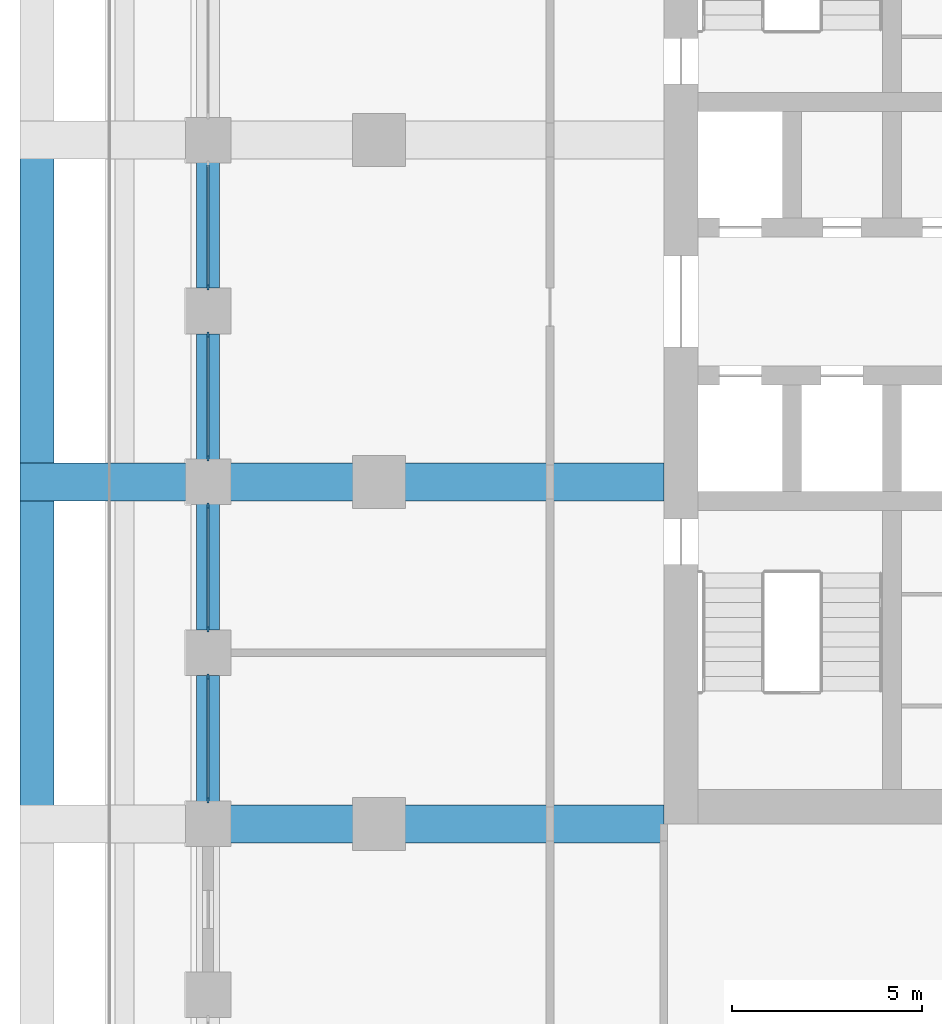
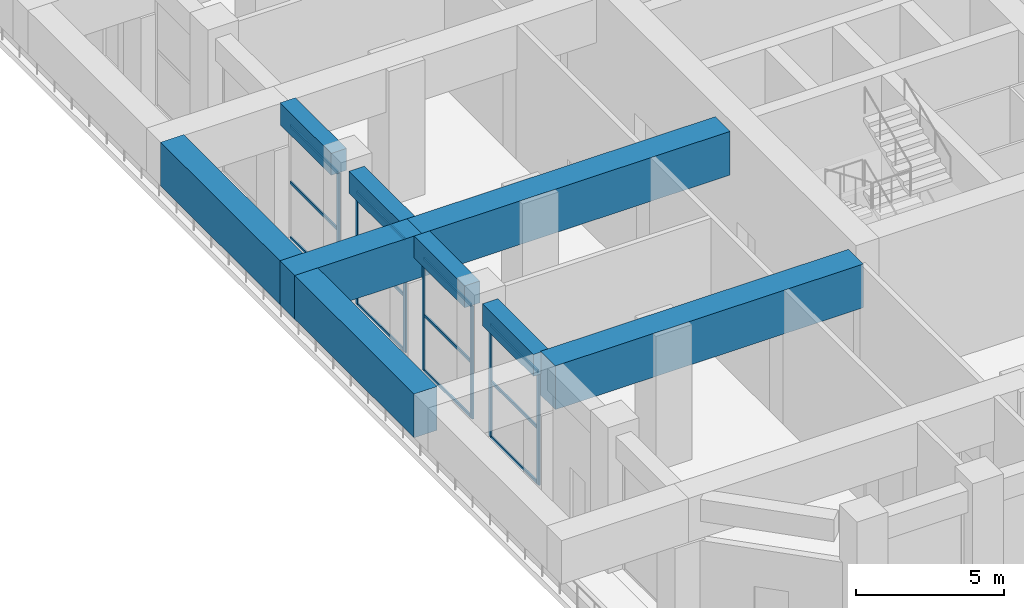
# One storey, part 3 of 24: 19 members, 9 beams, 4 elements without a shape of their own.
"""IFC4 building model written with IfcOpenShell, lengths in metres."""

from ifc_helpers import new_model, si_unit, direction, frame, origin, origin_2d, place, context, subcontext, project, spatial, rectangle, extrude, material, material_profile, profile_set, type_object, element, aggregate, save


model = new_model("IFC4")

# Units and contexts
model_context = context("Model", 3, precision=1e-05, world=origin(), true_north=direction((0.0, 1.0)))
body_context = subcontext(model_context, "Body", "Model", "MODEL_VIEW")
ifc_project = project(units=[si_unit("LENGTHUNIT", "METRE"), si_unit("AREAUNIT", "SQUARE_METRE"), si_unit("VOLUMEUNIT", "CUBIC_METRE"), si_unit("PLANEANGLEUNIT", "RADIAN"), si_unit("MASSUNIT", "GRAM", prefix="KILO")], contexts=[model_context])

# Site, building, storey
site_placement = place(None, origin())
site = spatial("IfcSite", under=ifc_project, at=site_placement, CompositionType="ELEMENT")
building_placement = place(site_placement, origin())
building = spatial("IfcBuilding", under=site, at=building_placement, Name="Corbel Stack Research Tower", CompositionType="ELEMENT")
storey_placement = place(building_placement, frame((0.0, 0.0, 110.699951171875)))
storey = spatial("IfcBuildingStorey", under=building, at=storey_placement, Name="L25", CompositionType="ELEMENT", Elevation=110.699951171875)

# Curtain wall, member
ifc_material_1 = material(Name="Aluminium frame, clear glass", Category="aluminium")
curtain_wall_type = type_object("IfcCurtainWallType", Name="Amenity floor curtain wall CW2", PredefinedType="NOTDEFINED", material=ifc_material_1)
curtain_wall_1_placement = place(storey_placement, origin())
curtain_wall_1 = element("IfcCurtainWall", 1, at=curtain_wall_1_placement, inside=storey, type_object=curtain_wall_type, Name="Curtain wall CW2 L25 W05", PredefinedType="NOTDEFINED")
ifc_material_2 = material(Name="Aluminium mullion", Category="aluminium")
ifc_material_profile_1 = material_profile(ifc_material_2, rectangle(XDim=0.06005859375, YDim=0.159912109375, at=origin_2d()), Name="Mullion 60 x 160")
ifc_profile_set_1 = profile_set([ifc_material_profile_1], Name="Aluminium mullion")
member_type_1 = type_object("IfcMemberType", Name="Curtain wall mullion 60 x 160", PredefinedType="MULLION", material=ifc_profile_set_1)
member_1_placement = place(storey_placement, frame((-22.5, 5.1298828125, 0.0), z_axis=(0.0, 0.0, 1.0), x_axis=(1.0, 0.0, 0.0)))
member_1 = element("IfcMember", 2, at=member_1_placement, type_object=member_type_1, Name="CW2 L25 W05 mullion 2", PredefinedType="MULLION", context=body_context, shape_type="SweptSolid", body=[
    extrude(rectangle(XDim=0.06005859375, YDim=0.159912109375, at=origin_2d()), origin(), (0.0, 0.0, 1.0), 4.650146484375),
])

# Curtain wall, members
curtain_wall_2_placement = place(storey_placement, origin())
curtain_wall_2 = element("IfcCurtainWall", 3, at=curtain_wall_2_placement, inside=storey, type_object=curtain_wall_type, Name="Curtain wall CW2 L25 W06", PredefinedType="NOTDEFINED")
member_2_placement = place(storey_placement, frame((-22.5, 3.8701171875, 0.0), z_axis=(0.0, 0.0, 1.0), x_axis=(1.0, 0.0, 0.0)))
member_2 = element("IfcMember", 4, at=member_2_placement, type_object=member_type_1, Name="CW2 L25 W06 mullion 1", PredefinedType="MULLION", context=body_context, shape_type="SweptSolid", body=[
    extrude(rectangle(XDim=0.06005859375, YDim=0.159912109375, at=origin_2d()), origin(), (0.0, 0.0, 1.0), 4.650146484375),
])
member_3_placement = place(storey_placement, frame((-22.5, 0.6298828125, 0.0), z_axis=(0.0, 0.0, 1.0), x_axis=(1.0, 0.0, 0.0)))
member_3 = element("IfcMember", 5, at=member_3_placement, type_object=member_type_1, Name="CW2 L25 W06 mullion 2", PredefinedType="MULLION", context=body_context, shape_type="SweptSolid", body=[
    extrude(rectangle(XDim=0.06005859375, YDim=0.159912109375, at=origin_2d()), origin(), (0.0, 0.0, 1.0), 4.650146484375),
])

curtain_wall_3_placement = place(storey_placement, origin())
curtain_wall_3 = element("IfcCurtainWall", 6, at=curtain_wall_3_placement, inside=storey, type_object=curtain_wall_type, Name="Curtain wall CW2 L25 W07", PredefinedType="NOTDEFINED")
member_4_placement = place(storey_placement, frame((-22.5, -0.6298828125, 0.0), z_axis=(0.0, 0.0, 1.0), x_axis=(1.0, 0.0, 0.0)))
member_4 = element("IfcMember", 7, at=member_4_placement, type_object=member_type_1, Name="CW2 L25 W07 mullion 1", PredefinedType="MULLION", context=body_context, shape_type="SweptSolid", body=[
    extrude(rectangle(XDim=0.06005859375, YDim=0.159912109375, at=origin_2d()), origin(), (0.0, 0.0, 1.0), 4.650146484375),
])
member_5_placement = place(storey_placement, frame((-22.5, -3.8701171875, 0.0), z_axis=(0.0, 0.0, 1.0), x_axis=(1.0, 0.0, 0.0)))
member_5 = element("IfcMember", 8, at=member_5_placement, type_object=member_type_1, Name="CW2 L25 W07 mullion 2", PredefinedType="MULLION", context=body_context, shape_type="SweptSolid", body=[
    extrude(rectangle(XDim=0.06005859375, YDim=0.159912109375, at=origin_2d()), origin(), (0.0, 0.0, 1.0), 4.650146484375),
])

curtain_wall_4_placement = place(storey_placement, origin())
curtain_wall_4 = element("IfcCurtainWall", 9, at=curtain_wall_4_placement, inside=storey, type_object=curtain_wall_type, Name="Curtain wall CW2 L25 W08", PredefinedType="NOTDEFINED")
member_6_placement = place(storey_placement, frame((-22.5, -5.1298828125, 0.0), z_axis=(0.0, 0.0, 1.0), x_axis=(1.0, 0.0, 0.0)))
member_6 = element("IfcMember", 10, at=member_6_placement, type_object=member_type_1, Name="CW2 L25 W08 mullion 1", PredefinedType="MULLION", context=body_context, shape_type="SweptSolid", body=[
    extrude(rectangle(XDim=0.06005859375, YDim=0.159912109375, at=origin_2d()), origin(), (0.0, 0.0, 1.0), 4.650146484375),
])
member_7_placement = place(storey_placement, frame((-22.5, -8.3701171875, 0.0), z_axis=(0.0, 0.0, 1.0), x_axis=(1.0, 0.0, 0.0)))
member_7 = element("IfcMember", 11, at=member_7_placement, type_object=member_type_1, Name="CW2 L25 W08 mullion 2", PredefinedType="MULLION", context=body_context, shape_type="SweptSolid", body=[
    extrude(rectangle(XDim=0.06005859375, YDim=0.159912109375, at=origin_2d()), origin(), (0.0, 0.0, 1.0), 4.650146484375),
])

# Member
ifc_material_3 = material(Name="Aluminium transom", Category="aluminium")
ifc_material_profile_2 = material_profile(ifc_material_3, rectangle(XDim=0.06005859375, YDim=0.1201171875, at=origin_2d()), Name="Transom 60 x 120")
ifc_profile_set_2 = profile_set([ifc_material_profile_2], Name="Aluminium transom")
member_type_2 = type_object("IfcMemberType", Name="Curtain wall transom 60 x 120", PredefinedType="USERDEFINED", material=ifc_profile_set_2)
member_8_placement = place(storey_placement, frame((-22.5, 8.340087890625, 0.030029296875), z_axis=(0.0, -1.0, 0.0), x_axis=(1.0, 0.0, 0.0)))
member_8 = element("IfcMember", 12, at=member_8_placement, type_object=member_type_2, Name="CW2 L25 W05 transom 1.1", ObjectType="TRANSOM", PredefinedType="USERDEFINED", context=body_context, shape_type="SweptSolid", body=[
    extrude(rectangle(XDim=0.06005859375, YDim=0.1201171875, at=origin_2d()), origin(), (0.0, 0.0, 1.0), 3.18017578125),
])

member_9_placement = place(storey_placement, frame((-22.5, 8.340087890625, 2.300048828125), z_axis=(0.0, -1.0, 0.0), x_axis=(1.0, 0.0, 0.0)))
member_9 = element("IfcMember", 13, at=member_9_placement, type_object=member_type_2, Name="CW2 L25 W05 transom 1.2", ObjectType="TRANSOM", PredefinedType="USERDEFINED", context=body_context, shape_type="SweptSolid", body=[
    extrude(rectangle(XDim=0.06005859375, YDim=0.1201171875, at=origin_2d()), origin(), (0.0, 0.0, 1.0), 3.18017578125),
])

member_10_placement = place(storey_placement, frame((-22.5, 8.340087890625, 4.6201171875), z_axis=(0.0, -1.0, 0.0), x_axis=(1.0, 0.0, 0.0)))
member_10 = element("IfcMember", 14, at=member_10_placement, type_object=member_type_2, Name="CW2 L25 W05 transom 1.3", ObjectType="TRANSOM", PredefinedType="USERDEFINED", context=body_context, shape_type="SweptSolid", body=[
    extrude(rectangle(XDim=0.06005859375, YDim=0.1201171875, at=origin_2d()), origin(), (0.0, 0.0, 1.0), 3.18017578125),
])

aggregate(curtain_wall_1, [member_1, member_8, member_9, member_10])

member_11_placement = place(storey_placement, frame((-22.5, 3.840087890625, 0.030029296875), z_axis=(0.0, -1.0, 0.0), x_axis=(1.0, 0.0, 0.0)))
member_11 = element("IfcMember", 15, at=member_11_placement, type_object=member_type_2, Name="CW2 L25 W06 transom 1.1", ObjectType="TRANSOM", PredefinedType="USERDEFINED", context=body_context, shape_type="SweptSolid", body=[
    extrude(rectangle(XDim=0.06005859375, YDim=0.1201171875, at=origin_2d()), origin(), (0.0, 0.0, 1.0), 3.18017578125),
])

member_12_placement = place(storey_placement, frame((-22.5, 3.840087890625, 2.300048828125), z_axis=(0.0, -1.0, 0.0), x_axis=(1.0, 0.0, 0.0)))
member_12 = element("IfcMember", 16, at=member_12_placement, type_object=member_type_2, Name="CW2 L25 W06 transom 1.2", ObjectType="TRANSOM", PredefinedType="USERDEFINED", context=body_context, shape_type="SweptSolid", body=[
    extrude(rectangle(XDim=0.06005859375, YDim=0.1201171875, at=origin_2d()), origin(), (0.0, 0.0, 1.0), 3.18017578125),
])

member_13_placement = place(storey_placement, frame((-22.5, 3.840087890625, 4.6201171875), z_axis=(0.0, -1.0, 0.0), x_axis=(1.0, 0.0, 0.0)))
member_13 = element("IfcMember", 17, at=member_13_placement, type_object=member_type_2, Name="CW2 L25 W06 transom 1.3", ObjectType="TRANSOM", PredefinedType="USERDEFINED", context=body_context, shape_type="SweptSolid", body=[
    extrude(rectangle(XDim=0.06005859375, YDim=0.1201171875, at=origin_2d()), origin(), (0.0, 0.0, 1.0), 3.18017578125),
])

aggregate(curtain_wall_2, [member_2, member_3, member_11, member_12, member_13])

member_14_placement = place(storey_placement, frame((-22.5, -0.659912109375, 0.030029296875), z_axis=(0.0, -1.0, 0.0), x_axis=(1.0, 0.0, 0.0)))
member_14 = element("IfcMember", 18, at=member_14_placement, type_object=member_type_2, Name="CW2 L25 W07 transom 1.1", ObjectType="TRANSOM", PredefinedType="USERDEFINED", context=body_context, shape_type="SweptSolid", body=[
    extrude(rectangle(XDim=0.06005859375, YDim=0.1201171875, at=origin_2d()), origin(), (0.0, 0.0, 1.0), 3.18017578125),
])

member_15_placement = place(storey_placement, frame((-22.5, -0.659912109375, 2.300048828125), z_axis=(0.0, -1.0, 0.0), x_axis=(1.0, 0.0, 0.0)))
member_15 = element("IfcMember", 19, at=member_15_placement, type_object=member_type_2, Name="CW2 L25 W07 transom 1.2", ObjectType="TRANSOM", PredefinedType="USERDEFINED", context=body_context, shape_type="SweptSolid", body=[
    extrude(rectangle(XDim=0.06005859375, YDim=0.1201171875, at=origin_2d()), origin(), (0.0, 0.0, 1.0), 3.18017578125),
])

member_16_placement = place(storey_placement, frame((-22.5, -0.659912109375, 4.6201171875), z_axis=(0.0, -1.0, 0.0), x_axis=(1.0, 0.0, 0.0)))
member_16 = element("IfcMember", 20, at=member_16_placement, type_object=member_type_2, Name="CW2 L25 W07 transom 1.3", ObjectType="TRANSOM", PredefinedType="USERDEFINED", context=body_context, shape_type="SweptSolid", body=[
    extrude(rectangle(XDim=0.06005859375, YDim=0.1201171875, at=origin_2d()), origin(), (0.0, 0.0, 1.0), 3.18017578125),
])

aggregate(curtain_wall_3, [member_4, member_5, member_14, member_15, member_16])

member_17_placement = place(storey_placement, frame((-22.5, -5.159912109375, 0.030029296875), z_axis=(0.0, -1.0, 0.0), x_axis=(1.0, 0.0, 0.0)))
member_17 = element("IfcMember", 21, at=member_17_placement, type_object=member_type_2, Name="CW2 L25 W08 transom 1.1", ObjectType="TRANSOM", PredefinedType="USERDEFINED", context=body_context, shape_type="SweptSolid", body=[
    extrude(rectangle(XDim=0.06005859375, YDim=0.1201171875, at=origin_2d()), origin(), (0.0, 0.0, 1.0), 3.18017578125),
])

member_18_placement = place(storey_placement, frame((-22.5, -5.159912109375, 2.300048828125), z_axis=(0.0, -1.0, 0.0), x_axis=(1.0, 0.0, 0.0)))
member_18 = element("IfcMember", 22, at=member_18_placement, type_object=member_type_2, Name="CW2 L25 W08 transom 1.2", ObjectType="TRANSOM", PredefinedType="USERDEFINED", context=body_context, shape_type="SweptSolid", body=[
    extrude(rectangle(XDim=0.06005859375, YDim=0.1201171875, at=origin_2d()), origin(), (0.0, 0.0, 1.0), 3.18017578125),
])

member_19_placement = place(storey_placement, frame((-22.5, -5.159912109375, 4.6201171875), z_axis=(0.0, -1.0, 0.0), x_axis=(1.0, 0.0, 0.0)))
member_19 = element("IfcMember", 23, at=member_19_placement, type_object=member_type_2, Name="CW2 L25 W08 transom 1.3", ObjectType="TRANSOM", PredefinedType="USERDEFINED", context=body_context, shape_type="SweptSolid", body=[
    extrude(rectangle(XDim=0.06005859375, YDim=0.1201171875, at=origin_2d()), origin(), (0.0, 0.0, 1.0), 3.18017578125),
])

aggregate(curtain_wall_4, [member_6, member_7, member_17, member_18, member_19])

# Beams
ifc_material_4 = material(Name="Concrete C60/75", Category="concrete")
ifc_material_profile_3 = material_profile(ifc_material_4, rectangle(XDim=0.60009765625, YDim=0.89990234375, at=origin_2d()), Name="RC 600 x 900")
ifc_profile_set_3 = profile_set([ifc_material_profile_3], Name="Concrete C60/75")
beam_type_1 = type_object("IfcBeamType", Name="SB-600-900-450", PredefinedType="SPANDREL", material=ifc_profile_set_3)
for number, where, z_axis, x_axis, name in (
    (24, (-22.5, 8.550048828125, 5.10009765625), (0.0, -1.0, 0.0), (1.0, 0.0, 0.0), "Spandrel beam L25-38"),
    (25, (-22.5, 3.89990234375, 5.10009765625), (0.0, -1.0, 0.0), (1.0, 0.0, 0.0), "Spandrel beam L25-39"),
    (26, (-22.5, -0.449951171875, 5.10009765625), (0.0, -1.0, 0.0), (1.0, 0.0, 0.0), "Spandrel beam L25-40"),
    (27, (-22.5, -5.10009765625, 5.10009765625), (0.0, -1.0, 0.0), (1.0, 0.0, 0.0), "Spandrel beam L25-41"),
):
    element("IfcBeam", number, at=place(storey_placement, frame(where, z_axis=z_axis, x_axis=x_axis)), inside=storey, type_object=beam_type_1, Name=name, PredefinedType="SPANDREL", context=body_context, shape_type="SweptSolid", body=[
        extrude(rectangle(XDim=0.60009765625, YDim=0.89990234375, at=origin_2d()), origin(), (0.0, 0.0, 1.0), 3.449951171875),
    ])
ifc_material_5 = material(Name="Concrete C60/75", Category="concrete")
ifc_material_profile_4 = material_profile(ifc_material_5, rectangle(XDim=1.0, YDim=1.800048828125, at=origin_2d()), Name="RC 1000 x 1800")
ifc_profile_set_4 = profile_set([ifc_material_profile_4], Name="Concrete C60/75")
beam_type_2 = type_object("IfcBeamType", Name="TG-1000-1800", PredefinedType="BEAM", material=ifc_profile_set_4)
beam_1_placement = place(storey_placement, frame((-22.5, -9.0, 4.650146484375), z_axis=(1.0, 0.0, 0.0), x_axis=(0.0, 1.0, 0.0)))
element("IfcBeam", 28, at=beam_1_placement, inside=storey, type_object=beam_type_2, Name="Transfer girder L25 W-9b", PredefinedType="BEAM", context=body_context, shape_type="SweptSolid", body=[
    extrude(rectangle(XDim=1.0, YDim=1.800048828125, at=origin_2d()), origin(), (0.0, 0.0, 1.0), 12.0),
])
beam_2_placement = place(storey_placement, frame((-27.449951171875, 0.0, 4.650146484375), z_axis=(1.0, 0.0, 0.0), x_axis=(0.0, 1.0, 0.0)))
element("IfcBeam", 29, at=beam_2_placement, inside=storey, type_object=beam_type_2, Name="Transfer girder L25 W0c", PredefinedType="BEAM", context=body_context, shape_type="SweptSolid", body=[
    extrude(rectangle(XDim=1.0, YDim=1.800048828125, at=origin_2d()), origin(), (0.0, 0.0, 1.0), 4.949951171875),
])
beam_3_placement = place(storey_placement, frame((-22.5, 0.0, 4.650146484375), z_axis=(1.0, 0.0, 0.0), x_axis=(0.0, 1.0, 0.0)))
element("IfcBeam", 30, at=beam_3_placement, inside=storey, type_object=beam_type_2, Name="Transfer girder L25 W0b", PredefinedType="BEAM", context=body_context, shape_type="SweptSolid", body=[
    extrude(rectangle(XDim=1.0, YDim=1.800048828125, at=origin_2d()), origin(), (0.0, 0.0, 1.0), 12.0),
])
ifc_material_6 = material(Name="Concrete C60/75", Category="concrete")
ifc_material_profile_5 = material_profile(ifc_material_6, rectangle(XDim=0.89990234375, YDim=1.800048828125, at=origin_2d()), Name="RC 900 x 1800")
ifc_profile_set_5 = profile_set([ifc_material_profile_5], Name="Concrete C60/75")
beam_type_3 = type_object("IfcBeamType", Name="TG-900-1800", PredefinedType="BEAM", material=ifc_profile_set_5)
for number, where, z_axis, x_axis, name in (
    (31, (-27.0, -8.550048828125, 4.650146484375), (0.0, 1.0, 0.0), (-1.0, 0.0, 0.0), "Transfer edge beam L25 We-9"),
    (32, (-27.0, 0.449951171875, 4.650146484375), (0.0, 1.0, 0.0), (-1.0, 0.0, 0.0), "Transfer edge beam L25 We0"),
):
    element("IfcBeam", number, at=place(storey_placement, frame(where, z_axis=z_axis, x_axis=x_axis)), inside=storey, type_object=beam_type_3, Name=name, PredefinedType="BEAM", context=body_context, shape_type="SweptSolid", body=[
        extrude(rectangle(XDim=0.89990234375, YDim=1.800048828125, at=origin_2d()), origin(), (0.0, 0.0, 1.0), 8.10009765625),
    ])

save(model, "model.ifc")
